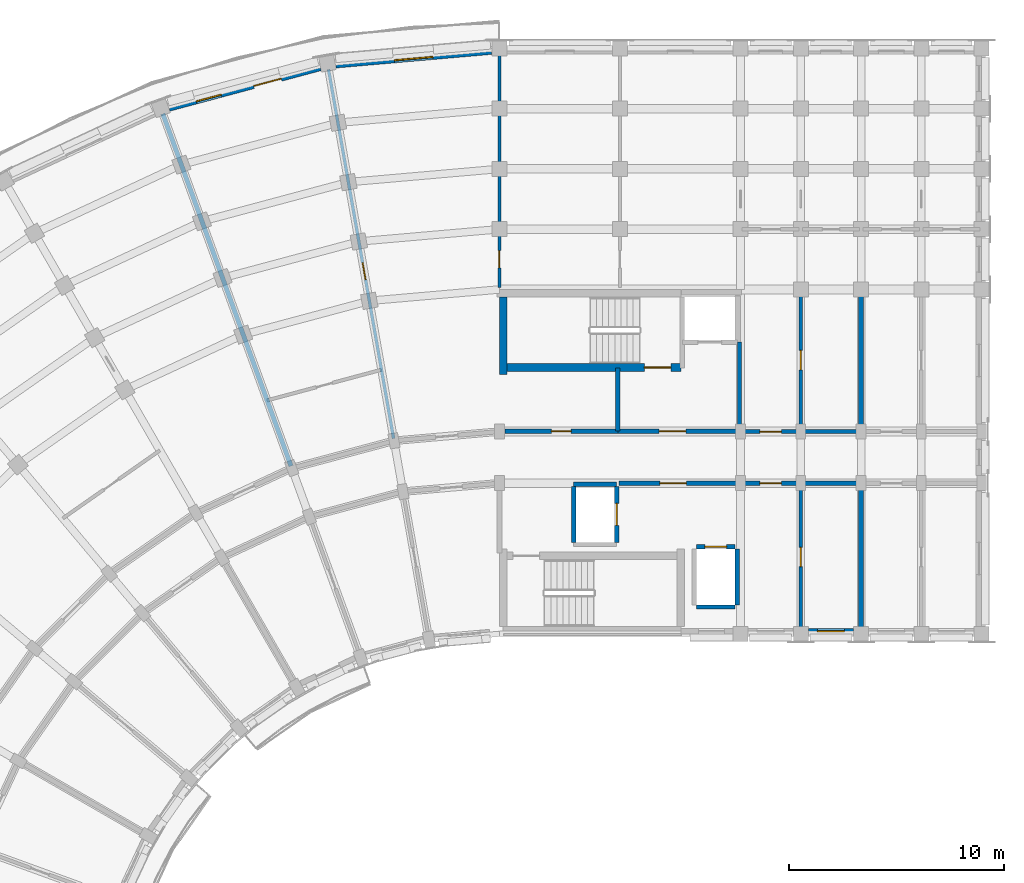
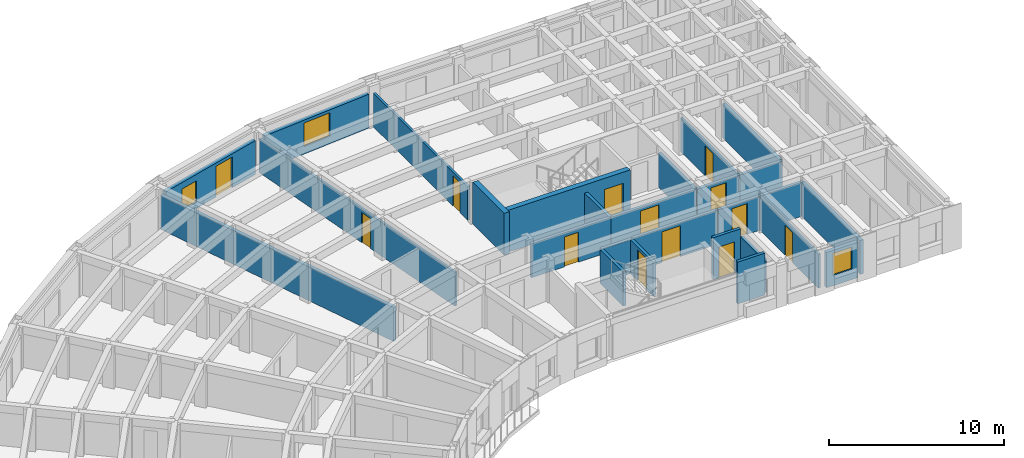
# One storey, part 28 of 57: 27 walls, 13 doors, 3 windows, 16 openings.
"""IFC4 building model written with IfcOpenShell, lengths in metres."""

from ifc_helpers import new_model, si_unit, direction, frame, frame_2d, origin, place, context, subcontext, project, spatial, rectangle, extrude, material, layer, layer_set, type_object, element, fill, save


model = new_model("IFC4")

# Units and contexts
model_context = context("Model", 3, precision=1e-05, world=origin(), true_north=direction((0.0, 1.0)))
body_context = subcontext(model_context, "Body", "Model", "MODEL_VIEW")
ifc_project = project(units=[si_unit("LENGTHUNIT", "METRE"), si_unit("AREAUNIT", "SQUARE_METRE"), si_unit("VOLUMEUNIT", "CUBIC_METRE"), si_unit("PLANEANGLEUNIT", "RADIAN"), si_unit("MASSUNIT", "GRAM", prefix="KILO")], contexts=[model_context])

# Site, building, storey
site_placement = place(None, origin())
site = spatial("IfcSite", under=ifc_project, at=site_placement, CompositionType="ELEMENT")
building_placement = place(site_placement, origin())
building = spatial("IfcBuilding", under=site, at=building_placement, Name="Kiranvali Square Residences", CompositionType="ELEMENT")
storey_placement = place(building_placement, frame((0.0, 0.0, 24.449951171875)))
storey = spatial("IfcBuildingStorey", under=building, at=storey_placement, Name="L07", CompositionType="ELEMENT", Elevation=24.449951171875)

# Wall, opening, door
ifc_material_1 = material(Name="Autoclaved aerated concrete blockwork masonry", Category="masonry")
ifc_layer_1 = layer(ifc_material_1, 0.199951171875)
ifc_layer_set_1 = layer_set([ifc_layer_1], Name="Autoclaved aerated concrete blockwork masonry")
wall_type_1 = type_object("IfcWallType", Name="WL-COR-200", PredefinedType="STANDARD", material=ifc_layer_set_1)
wall_1_placement = place(storey_placement, frame((53.75, 113.60009765625, 0.0), z_axis=(0.0, 0.0, 1.0), x_axis=(1.0, 0.0, 0.0)))
wall_1 = element("IfcWall", 1, at=wall_1_placement, inside=storey, type_object=wall_type_1, Name="L07 architectural wall WL-L07-A-LL-COR", PredefinedType="STANDARD", context=body_context, shape_type="SweptSolid", body=[
    extrude(rectangle(XDim=5.60009765625, YDim=0.199951171875, at=frame_2d((2.800048828125, 0.0))), origin(), (0.0, 0.0, 1.0), 2.3720703125),
])
opening_1_placement = place(wall_1_placement, frame((1.909912109375, 0.0, 0.0)))
opening_1 = element("IfcOpeningElement", 2, at=opening_1_placement, cuts=wall_1, Name="Opening FD-COR-60", PredefinedType="OPENING", context=body_context, shape_type="SweptSolid", body=[
    extrude(rectangle(XDim=1.219970703125, YDim=2.14990234375, at=frame_2d((0.60986328125, 1.074951171875))), frame((0.0, 0.10986328125, 0.0), z_axis=(0.0, -1.0, 0.0), x_axis=(1.0, 0.0, 0.0)), (0.0, 0.0, 1.0), 0.219970703125),
])
ifc_material_2 = material(Name="Fire-rated acoustic hardwood and mineral-core door assembly", Category="wood")
door_type_1 = type_object("IfcDoorType", Name="DR-FD60-1200", OperationType="NOTDEFINED", PredefinedType="DOOR", material=ifc_material_2)
door_1_placement = place(opening_1_placement, origin())
door_1 = element("IfcDoor", 3, at=door_1_placement, inside=storey, type_object=door_type_1, Name="L07 door DR-L07-0459 (DR-FD60-1200)", OperationType="SINGLE_SWING_LEFT", OverallHeight=2.14990234375, OverallWidth=1.219970703125, PredefinedType="DOOR", context=body_context, shape_type="SweptSolid", body=[
    extrude(rectangle(XDim=1.219970703125, YDim=2.14990234375, at=frame_2d((0.60986328125, 1.074951171875))), frame((0.0, 0.02490234375, 0.0), z_axis=(0.0, -1.0, 0.0), x_axis=(1.0, 0.0, 0.0)), (0.0, 0.0, 1.0), 0.050048828125),
])
fill(opening_1, door_1)

wall_2_placement = place(storey_placement, frame((59.39990234375, 113.60009765625, 0.0), z_axis=(0.0, 0.0, 1.0), x_axis=(1.0, 0.0, 0.0)))
wall_2 = element("IfcWall", 4, at=wall_2_placement, inside=storey, type_object=wall_type_1, Name="L07 architectural wall WL-L07-A-A1CI-0", PredefinedType="STANDARD", context=body_context, shape_type="SweptSolid", body=[
    extrude(rectangle(XDim=2.800048828125, YDim=0.199951171875, at=frame_2d((1.39990234375, 0.0))), origin(), (0.0, 0.0, 1.0), 2.3720703125),
])
opening_2_placement = place(wall_2_placement, frame((0.89990234375, 0.0, 0.0)))
opening_2 = element("IfcOpeningElement", 5, at=opening_2_placement, cuts=wall_2, Name="Opening FD-APT-60", PredefinedType="OPENING", context=body_context, shape_type="SweptSolid", body=[
    extrude(rectangle(XDim=1.0, YDim=2.14990234375, at=frame_2d((0.5, 1.074951171875))), frame((0.0, 0.10986328125, 0.0), z_axis=(0.0, -1.0, 0.0), x_axis=(1.0, 0.0, 0.0)), (0.0, 0.0, 1.0), 0.219970703125),
])
door_type_2 = type_object("IfcDoorType", Name="DR-APT-1000", OperationType="NOTDEFINED", PredefinedType="DOOR", material=ifc_material_2)
door_2_placement = place(opening_2_placement, origin())
door_2 = element("IfcDoor", 6, at=door_2_placement, inside=storey, type_object=door_type_2, Name="L07 door DR-L07-0463 (DR-APT-1000)", OperationType="SINGLE_SWING_LEFT", OverallHeight=2.14990234375, OverallWidth=1.0, PredefinedType="DOOR", context=body_context, shape_type="SweptSolid", body=[
    extrude(rectangle(XDim=1.0, YDim=2.14990234375, at=frame_2d((0.5, 1.074951171875))), frame((0.0, 0.02490234375, 0.0), z_axis=(0.0, -1.0, 0.0), x_axis=(1.0, 0.0, 0.0)), (0.0, 0.0, 1.0), 0.050048828125),
])
fill(opening_2, door_2)

wall_3_placement = place(storey_placement, frame((59.39990234375, 116.0, 0.0), z_axis=(0.0, 0.0, 1.0), x_axis=(1.0, 0.0, 0.0)))
wall_3 = element("IfcWall", 7, at=wall_3_placement, inside=storey, type_object=wall_type_1, Name="L07 architectural wall WL-L07-A-A1CO-0", PredefinedType="STANDARD", context=body_context, shape_type="SweptSolid", body=[
    extrude(rectangle(XDim=2.800048828125, YDim=0.199951171875, at=frame_2d((1.39990234375, 0.0))), origin(), (0.0, 0.0, 1.0), 2.3720703125),
])
opening_3_placement = place(wall_3_placement, frame((0.89990234375, 0.0, 0.0)))
opening_3 = element("IfcOpeningElement", 8, at=opening_3_placement, cuts=wall_3, Name="Opening FD-APT-60", PredefinedType="OPENING", context=body_context, shape_type="SweptSolid", body=[
    extrude(rectangle(XDim=1.0, YDim=2.14990234375, at=frame_2d((0.5, 1.074951171875))), frame((0.0, 0.10986328125, 0.0), z_axis=(0.0, -1.0, 0.0), x_axis=(1.0, 0.0, 0.0)), (0.0, 0.0, 1.0), 0.219970703125),
])
door_3_placement = place(opening_3_placement, origin())
door_3 = element("IfcDoor", 9, at=door_3_placement, inside=storey, type_object=door_type_2, Name="L07 door DR-L07-0465 (DR-APT-1000)", OperationType="SINGLE_SWING_LEFT", OverallHeight=2.14990234375, OverallWidth=1.0, PredefinedType="DOOR", context=body_context, shape_type="SweptSolid", body=[
    extrude(rectangle(XDim=1.0, YDim=2.14990234375, at=frame_2d((0.5, 1.074951171875))), frame((0.0, 0.02490234375, 0.0), z_axis=(0.0, -1.0, 0.0), x_axis=(1.0, 0.0, 0.0)), (0.0, 0.0, 1.0), 0.050048828125),
])
fill(opening_3, door_3)

# Walls
for number, where, z_axis, x_axis, name in (
    (10, (62.199951171875, 113.60009765625, 0.0), (0.0, 0.0, 1.0), (1.0, 0.0, 0.0), "L07 architectural wall WL-L07-A-A1CI-1"),
    (11, (62.199951171875, 116.0, 0.0), (0.0, 0.0, 1.0), (1.0, 0.0, 0.0), "L07 architectural wall WL-L07-A-A1CO-1"),
):
    element("IfcWall", number, at=place(storey_placement, frame(where, z_axis=z_axis, x_axis=x_axis)), inside=storey, type_object=wall_type_1, Name=name, PredefinedType="STANDARD", context=body_context, shape_type="SweptSolid", body=[
        extrude(rectangle(XDim=2.800048828125, YDim=0.199951171875, at=frame_2d((1.39990234375, 0.0))), origin(), (0.0, 0.0, 1.0), 2.3720703125),
    ])
ifc_layer_2 = layer(ifc_material_1, 0.219970703125)
ifc_layer_set_2 = layer_set([ifc_layer_2], Name="Autoclaved aerated concrete blockwork masonry")
wall_type_2 = type_object("IfcWallType", Name="WL-DEM-220", PredefinedType="STANDARD", material=ifc_layer_set_2)
wall_4_placement = place(storey_placement, frame((65.0, 106.800048828125, 0.0), z_axis=(0.0, 0.0, 1.0), x_axis=(0.0, 1.0, 0.0)))
element("IfcWall", 12, at=wall_4_placement, inside=storey, type_object=wall_type_2, Name="L07 architectural wall WL-L07-A-A1TI-2", PredefinedType="STANDARD", context=body_context, shape_type="SweptSolid", body=[
    extrude(rectangle(XDim=6.75, YDim=0.219970703125, at=frame_2d((3.375, 0.0))), origin(), (0.0, 0.0, 1.0), 2.3720703125),
])
wall_5_placement = place(storey_placement, frame((65.0, 116.050048828125, 0.0), z_axis=(0.0, 0.0, 1.0), x_axis=(0.0, 1.0, 0.0)))
element("IfcWall", 13, at=wall_5_placement, inside=storey, type_object=wall_type_2, Name="L07 architectural wall WL-L07-A-A1TO1-2", PredefinedType="STANDARD", context=body_context, shape_type="SweptSolid", body=[
    extrude(rectangle(XDim=6.530029296875, YDim=0.219970703125, at=frame_2d((3.26513671875, 0.0))), origin(), (0.0, 0.0, 1.0), 2.3720703125),
])
wall_6_placement = place(storey_placement, frame((38.520751953125, 114.393310546875, 0.0), z_axis=(0.0, 0.0, 1.0), x_axis=(-0.342022120477, 0.939691901159, 0.0)))
element("IfcWall", 14, at=wall_6_placement, inside=storey, type_object=wall_type_2, Name="L07 architectural wall WL-L07-A-RADO-2", PredefinedType="STANDARD", context=body_context, shape_type="SweptSolid", body=[
    extrude(rectangle(XDim=17.419921875, YDim=0.219970703125, at=frame_2d((8.7099609375, 0.0))), origin(), (0.0, 0.0, 1.0), 2.3720703125),
])

# Wall, opening, window
ifc_material_3 = material(Name="Breathable lime-rendered clay brick masonry", Category="masonry")
ifc_layer_3 = layer(ifc_material_3, 0.25)
ifc_layer_set_3 = layer_set([ifc_layer_3], Name="Breathable lime-rendered clay brick masonry")
wall_type_3 = type_object("IfcWallType", Name="WL-EXT-250", PredefinedType="STANDARD", material=ifc_layer_set_3)
wall_7_placement = place(storey_placement, frame((47.83642578125, 133.642822265625, 0.0), z_axis=(0.0, 0.0, 1.0), x_axis=(-0.99619214922, -0.08718487158, 0.0)))
wall_7 = element("IfcWall", 15, at=wall_7_placement, inside=storey, type_object=wall_type_3, Name="L07 exterior wall A-L07-CRV-00", PredefinedType="STANDARD", context=body_context, shape_type="SweptSolid", body=[
    extrude(rectangle(XDim=7.2666015625, YDim=0.25, at=frame_2d((3.63330078125, 0.0))), origin(), (0.0, 0.0, 1.0), 2.3720703125),
])
opening_4_placement = place(wall_7_placement, frame((2.7333984375, 0.0, 0.52197265625)))
opening_4 = element("IfcOpeningElement", 16, at=opening_4_placement, cuts=wall_7, Name="Opening W-04", PredefinedType="OPENING", context=body_context, shape_type="SweptSolid", body=[
    extrude(rectangle(XDim=1.800048828125, YDim=1.64990234375, at=frame_2d((0.89990234375, 0.824951171875))), frame((0.0, 0.135009765625, 0.0), z_axis=(0.0, -1.0, 0.0), x_axis=(1.0, 0.0, 0.0)), (0.0, 0.0, 1.0), 0.27001953125),
])
ifc_material_4 = material(Name="Solar-control low-e double glazing", Category="glass")
window_type_1 = type_object("IfcWindowType", Name="WIN-RES-1800x1650", PartitioningType="DOUBLE_PANEL_VERTICAL", PredefinedType="WINDOW", material=ifc_material_4)
window_1_placement = place(opening_4_placement, origin())
window_1 = element("IfcWindow", 17, at=window_1_placement, inside=storey, type_object=window_type_1, Name="L07 recessed window A-L07-CRV-00", OverallHeight=1.64990234375, OverallWidth=1.800048828125, PartitioningType="DOUBLE_PANEL_VERTICAL", PredefinedType="WINDOW", context=body_context, shape_type="SweptSolid", body=[
    extrude(rectangle(XDim=1.800048828125, YDim=1.64990234375, at=frame_2d((0.89990234375, 0.824951171875))), frame((0.0, 0.030029296875, 0.0), z_axis=(0.0, -1.0, 0.0), x_axis=(1.0, 0.0, 0.0)), (0.0, 0.0, 1.0), 0.06005859375),
])
fill(opening_4, window_1)

# Wall, openings, door, window
wall_8_placement = place(storey_placement, frame((39.881591796875, 132.883056640625, 0.0), z_axis=(0.0, 0.0, 1.0), x_axis=(-0.965930355787, -0.258802140196, 0.0)))
wall_8 = element("IfcWall", 18, at=wall_8_placement, inside=storey, type_object=wall_type_3, Name="L07 exterior wall A-L07-CRV-01", PredefinedType="STANDARD", context=body_context, shape_type="SweptSolid", body=[
    extrude(rectangle(XDim=7.2666015625, YDim=0.25, at=frame_2d((3.63330078125, 0.0))), origin(), (0.0, 0.0, 1.0), 2.3720703125),
])
opening_5_placement = place(wall_8_placement, frame((4.765625, 0.0, 0.422119140625)))
opening_5 = element("IfcOpeningElement", 19, at=opening_5_placement, cuts=wall_8, Name="Opening W-06", PredefinedType="OPENING", context=body_context, shape_type="SweptSolid", body=[
    extrude(rectangle(XDim=1.199951171875, YDim=1.5, at=frame_2d((0.60009765625, 0.75))), frame((0.0, 0.135009765625, 0.0), z_axis=(0.0, -1.0, 0.0), x_axis=(1.0, 0.0, 0.0)), (0.0, 0.0, 1.0), 0.27001953125),
])
opening_6_placement = place(wall_8_placement, frame((1.88330078125, 0.0, 0.0)))
opening_6 = element("IfcOpeningElement", 20, at=opening_6_placement, cuts=wall_8, Name="Opening ED-BAL-3", PredefinedType="OPENING", context=body_context, shape_type="SweptSolid", body=[
    extrude(rectangle(XDim=1.320068359375, YDim=2.14990234375, at=frame_2d((0.66015625, 1.074951171875))), frame((0.0, 0.135009765625, 0.0), z_axis=(0.0, -1.0, 0.0), x_axis=(1.0, 0.0, 0.0)), (0.0, 0.0, 1.0), 0.27001953125),
])
ifc_material_5 = material(Name="Anodised bronze aluminium framing", Category="aluminium")
door_type_3 = type_object("IfcDoorType", Name="DR-BAL-1320", OperationType="NOTDEFINED", PredefinedType="DOOR", material=ifc_material_5)
door_4_placement = place(opening_6_placement, frame((1.320068359375, 0.0, 0.0), z_axis=(0.0, 0.0, 1.0), x_axis=(-1.0, 0.0, 0.0)))
door_4 = element("IfcDoor", 21, at=door_4_placement, inside=storey, type_object=door_type_3, Name="L07 balcony terrace door", OperationType="SINGLE_SWING_RIGHT", OverallHeight=2.14990234375, OverallWidth=1.320068359375, PredefinedType="DOOR", context=body_context, shape_type="SweptSolid", body=[
    extrude(rectangle(XDim=1.320068359375, YDim=2.14990234375, at=frame_2d((0.66015625, 1.074951171875))), frame((0.0, 0.02490234375, 0.0), z_axis=(0.0, -1.0, 0.0), x_axis=(1.0, 0.0, 0.0)), (0.0, 0.0, 1.0), 0.050048828125),
])
fill(opening_6, door_4)
window_type_2 = type_object("IfcWindowType", Name="WIN-RES-1200x1500", PartitioningType="SINGLE_PANEL", PredefinedType="WINDOW", material=ifc_material_4)
window_2_placement = place(opening_5_placement, origin())
window_2 = element("IfcWindow", 22, at=window_2_placement, inside=storey, type_object=window_type_2, Name="L07 recessed window A-L07-CRV-01", OverallHeight=1.5, OverallWidth=1.199951171875, PartitioningType="SINGLE_PANEL", PredefinedType="WINDOW", context=body_context, shape_type="SweptSolid", body=[
    extrude(rectangle(XDim=1.199951171875, YDim=1.5, at=frame_2d((0.60009765625, 0.75))), frame((0.0, 0.030029296875, 0.0), z_axis=(0.0, -1.0, 0.0), x_axis=(1.0, 0.0, 0.0)), (0.0, 0.0, 1.0), 0.06005859375),
])
fill(opening_5, window_2)

# Wall, opening, window
wall_9_placement = place(storey_placement, frame((62.553466796875, 106.72509765625, 0.0), z_axis=(0.0, 0.0, 1.0), x_axis=(1.0, 0.0, 0.0)))
wall_9 = element("IfcWall", 23, at=wall_9_placement, inside=storey, type_object=wall_type_3, Name="L07 exterior wall A-L07-A1I-1", PredefinedType="STANDARD", context=body_context, shape_type="SweptSolid", body=[
    extrude(rectangle(XDim=2.093017578125, YDim=0.25, at=frame_2d((1.04638671875, 0.0))), origin(), (0.0, 0.0, 1.0), 2.47216796875),
])
opening_7_placement = place(wall_9_placement, frame((0.42138671875, 0.0, 0.721923828125)))
opening_7 = element("IfcOpeningElement", 24, at=opening_7_placement, cuts=wall_9, Name="Opening W-19", PredefinedType="OPENING", context=body_context, shape_type="SweptSolid", body=[
    extrude(rectangle(XDim=1.25, YDim=1.550048828125, at=frame_2d((0.625, 0.77490234375))), frame((0.0, 0.135009765625, 0.0), z_axis=(0.0, -1.0, 0.0), x_axis=(1.0, 0.0, 0.0)), (0.0, 0.0, 1.0), 0.27001953125),
])
window_type_3 = type_object("IfcWindowType", Name="WIN-GDN-1250x1550", PartitioningType="SINGLE_PANEL", PredefinedType="WINDOW", material=ifc_material_4)
window_3_placement = place(opening_7_placement, origin())
window_3 = element("IfcWindow", 25, at=window_3_placement, inside=storey, type_object=window_type_3, Name="L07 recessed window A-L07-A1I-1", OverallHeight=1.550048828125, OverallWidth=1.25, PartitioningType="SINGLE_PANEL", PredefinedType="WINDOW", context=body_context, shape_type="SweptSolid", body=[
    extrude(rectangle(XDim=1.25, YDim=1.550048828125, at=frame_2d((0.625, 0.77490234375))), frame((0.0, 0.030029296875, 0.0), z_axis=(0.0, -1.0, 0.0), x_axis=(1.0, 0.0, 0.0)), (0.0, 0.0, 1.0), 0.06005859375),
])
fill(opening_7, window_3)

# Wall, opening, door
ifc_layer_4 = layer(ifc_material_1, 0.199951171875)
ifc_layer_set_4 = layer_set([ifc_layer_4], Name="Autoclaved aerated concrete blockwork masonry")
wall_type_4 = type_object("IfcWallType", Name="WL-FFL-200", PredefinedType="STANDARD", material=ifc_layer_set_4)
wall_10_placement = place(storey_placement, frame((53.699951171875, 116.02001953125, 0.0), z_axis=(0.0, 0.0, 1.0), x_axis=(1.0, 0.0, 0.0)))
wall_10 = element("IfcWall", 26, at=wall_10_placement, inside=storey, type_object=wall_type_4, Name="L07 architectural wall WL-L07-A-FF-COR", PredefinedType="STANDARD", context=body_context, shape_type="SweptSolid", body=[
    extrude(rectangle(XDim=5.650146484375, YDim=0.199951171875, at=frame_2d((2.8251953125, 0.0))), origin(), (0.0, 0.0, 1.0), 2.3720703125),
])
opening_8_placement = place(wall_10_placement, frame((1.922607421875, 0.0, 0.0)))
opening_8 = element("IfcOpeningElement", 27, at=opening_8_placement, cuts=wall_10, Name="Opening FD-ST-120", PredefinedType="OPENING", context=body_context, shape_type="SweptSolid", body=[
    extrude(rectangle(XDim=1.239990234375, YDim=2.14990234375, at=frame_2d((0.6201171875, 1.074951171875))), frame((0.0, 0.10986328125, 0.0), z_axis=(0.0, -1.0, 0.0), x_axis=(1.0, 0.0, 0.0)), (0.0, 0.0, 1.0), 0.219970703125),
])
door_type_4 = type_object("IfcDoorType", Name="DR-FD120-1200", OperationType="NOTDEFINED", PredefinedType="DOOR", material=ifc_material_2)
door_5_placement = place(opening_8_placement, origin())
door_5 = element("IfcDoor", 28, at=door_5_placement, inside=storey, type_object=door_type_4, Name="L07 door DR-L07-0451 (DR-FD120-1200)", OperationType="SINGLE_SWING_LEFT", OverallHeight=2.14990234375, OverallWidth=1.239990234375, PredefinedType="DOOR", context=body_context, shape_type="SweptSolid", body=[
    extrude(rectangle(XDim=1.239990234375, YDim=2.14990234375, at=frame_2d((0.6201171875, 1.074951171875))), frame((0.0, 0.02490234375, 0.0), z_axis=(0.0, -1.0, 0.0), x_axis=(1.0, 0.0, 0.0)), (0.0, 0.0, 1.0), 0.050048828125),
])
fill(opening_8, door_5)

# Walls
wall_11_placement = place(storey_placement, frame((53.699951171875, 116.02001953125, 0.0), z_axis=(0.0, 0.0, 1.0), x_axis=(0.0, 1.0, 0.0)))
element("IfcWall", 29, at=wall_11_placement, inside=storey, type_object=wall_type_4, Name="L07 architectural wall WL-L07-A-FF-DIV", PredefinedType="STANDARD", context=body_context, shape_type="SweptSolid", body=[
    extrude(rectangle(XDim=2.929931640625, YDim=0.199951171875, at=frame_2d((1.46484375, 0.0))), origin(), (0.0, 0.0, 1.0), 2.3720703125),
])
wall_12_placement = place(storey_placement, frame((59.35009765625, 116.02001953125, 0.0), z_axis=(0.0, 0.0, 1.0), x_axis=(0.0, 1.0, 0.0)))
element("IfcWall", 30, at=wall_12_placement, inside=storey, type_object=wall_type_4, Name="L07 architectural wall WL-L07-A-FF-END", PredefinedType="STANDARD", context=body_context, shape_type="SweptSolid", body=[
    extrude(rectangle(XDim=4.1298828125, YDim=0.199951171875, at=frame_2d((2.06494140625, 0.0))), origin(), (0.0, 0.0, 1.0), 2.3720703125),
])

# Wall, opening, door
ifc_material_6 = material(Name="Acoustic gypsum board drylined partition", Category="gypsum")
ifc_layer_5 = layer(ifc_material_6, 0.14990234375)
ifc_layer_set_5 = layer_set([ifc_layer_5], Name="Acoustic gypsum board drylined partition")
wall_type_5 = type_object("IfcWallType", Name="WL-PRT-150", PredefinedType="PARTITIONING", material=ifc_layer_set_5)
wall_13_placement = place(storey_placement, frame((62.199951171875, 106.800048828125, 0.0), z_axis=(0.0, 0.0, 1.0), x_axis=(0.0, 1.0, 0.0)))
wall_13 = element("IfcWall", 31, at=wall_13_placement, inside=storey, type_object=wall_type_5, Name="L07 architectural wall WL-L07-A-A1TI-1", PredefinedType="PARTITIONING", context=body_context, shape_type="SweptSolid", body=[
    extrude(rectangle(XDim=6.75, YDim=0.14990234375, at=frame_2d((3.375, 0.0))), origin(), (0.0, 0.0, 1.0), 2.3720703125),
])
opening_9_placement = place(wall_13_placement, frame((2.925048828125, 0.0, 0.0)))
opening_9 = element("IfcOpeningElement", 32, at=opening_9_placement, cuts=wall_13, Name="Opening ID-1", PredefinedType="OPENING", context=body_context, shape_type="SweptSolid", body=[
    extrude(rectangle(XDim=0.89990234375, YDim=2.10009765625, at=frame_2d((0.449951171875, 1.050048828125))), frame((0.0, 0.0849609375, 0.0), z_axis=(0.0, -1.0, 0.0), x_axis=(1.0, 0.0, 0.0)), (0.0, 0.0, 1.0), 0.169921875),
])
ifc_material_7 = material(Name="Solid seasoned teak hardwood joinery", Category="wood")
door_type_5 = type_object("IfcDoorType", Name="DR-INT-900", OperationType="NOTDEFINED", PredefinedType="DOOR", material=ifc_material_7)
door_6_placement = place(opening_9_placement, frame((0.89990234375, 0.0, 0.0), z_axis=(0.0, 0.0, 1.0), x_axis=(-1.0, 0.0, 0.0)))
door_6 = element("IfcDoor", 33, at=door_6_placement, inside=storey, type_object=door_type_5, Name="L07 door DR-L07-0472 (DR-INT-900)", OperationType="SINGLE_SWING_RIGHT", OverallHeight=2.10009765625, OverallWidth=0.89990234375, PredefinedType="DOOR", context=body_context, shape_type="SweptSolid", body=[
    extrude(rectangle(XDim=0.89990234375, YDim=2.10009765625, at=frame_2d((0.449951171875, 1.050048828125))), frame((0.0, 0.02490234375, 0.0), z_axis=(0.0, -1.0, 0.0), x_axis=(1.0, 0.0, 0.0)), (0.0, 0.0, 1.0), 0.050048828125),
])
fill(opening_9, door_6)

wall_14_placement = place(storey_placement, frame((62.199951171875, 116.050048828125, 0.0), z_axis=(0.0, 0.0, 1.0), x_axis=(0.0, 1.0, 0.0)))
wall_14 = element("IfcWall", 34, at=wall_14_placement, inside=storey, type_object=wall_type_5, Name="L07 architectural wall WL-L07-A-A1TO1-1", PredefinedType="PARTITIONING", context=body_context, shape_type="SweptSolid", body=[
    extrude(rectangle(XDim=6.530029296875, YDim=0.14990234375, at=frame_2d((3.26513671875, 0.0))), origin(), (0.0, 0.0, 1.0), 2.3720703125),
])
opening_10_placement = place(wall_14_placement, frame((2.81494140625, 0.0, 0.0)))
opening_10 = element("IfcOpeningElement", 35, at=opening_10_placement, cuts=wall_14, Name="Opening ID-1", PredefinedType="OPENING", context=body_context, shape_type="SweptSolid", body=[
    extrude(rectangle(XDim=0.89990234375, YDim=2.10009765625, at=frame_2d((0.449951171875, 1.050048828125))), frame((0.0, 0.0849609375, 0.0), z_axis=(0.0, -1.0, 0.0), x_axis=(1.0, 0.0, 0.0)), (0.0, 0.0, 1.0), 0.169921875),
])
door_7_placement = place(opening_10_placement, origin())
door_7 = element("IfcDoor", 36, at=door_7_placement, inside=storey, type_object=door_type_5, Name="L07 door DR-L07-0473 (DR-INT-900)", OperationType="SINGLE_SWING_LEFT", OverallHeight=2.10009765625, OverallWidth=0.89990234375, PredefinedType="DOOR", context=body_context, shape_type="SweptSolid", body=[
    extrude(rectangle(XDim=0.89990234375, YDim=2.10009765625, at=frame_2d((0.449951171875, 1.050048828125))), frame((0.0, 0.02490234375, 0.0), z_axis=(0.0, -1.0, 0.0), x_axis=(1.0, 0.0, 0.0)), (0.0, 0.0, 1.0), 0.050048828125),
])
fill(opening_10, door_7)

wall_15_placement = place(storey_placement, frame((48.199951171875, 122.699951171875, 0.0), z_axis=(0.0, 0.0, 1.0), x_axis=(0.0, 1.0, 0.0)))
wall_15 = element("IfcWall", 37, at=wall_15_placement, inside=storey, type_object=wall_type_5, Name="L07 architectural wall WL-L07-A-RADO-0", PredefinedType="PARTITIONING", context=body_context, shape_type="SweptSolid", body=[
    extrude(rectangle(XDim=10.820068359375, YDim=0.14990234375, at=frame_2d((5.41015625, 0.0))), origin(), (0.0, 0.0, 1.0), 2.3720703125),
])
opening_11_placement = place(wall_15_placement, frame((0.8994140625, 0.0, 0.0)))
opening_11 = element("IfcOpeningElement", 38, at=opening_11_placement, cuts=wall_15, Name="Opening ID-WET", PredefinedType="OPENING", context=body_context, shape_type="SweptSolid", body=[
    extrude(rectangle(XDim=0.800048828125, YDim=2.10009765625, at=frame_2d((0.39990234375, 1.050048828125))), frame((0.0, 0.0849609375, 0.0), z_axis=(0.0, -1.0, 0.0), x_axis=(1.0, 0.0, 0.0)), (0.0, 0.0, 1.0), 0.169921875),
])
door_type_6 = type_object("IfcDoorType", Name="DR-WET-800", OperationType="NOTDEFINED", PredefinedType="DOOR", material=ifc_material_7)
door_8_placement = place(opening_11_placement, frame((0.800048828125, 0.0, 0.0), z_axis=(0.0, 0.0, 1.0), x_axis=(-1.0, 0.0, 0.0)))
door_8 = element("IfcDoor", 39, at=door_8_placement, inside=storey, type_object=door_type_6, Name="L07 door DR-L07-0478 (DR-WET-800)", OperationType="SINGLE_SWING_RIGHT", OverallHeight=2.10009765625, OverallWidth=0.800048828125, PredefinedType="DOOR", context=body_context, shape_type="SweptSolid", body=[
    extrude(rectangle(XDim=0.800048828125, YDim=2.10009765625, at=frame_2d((0.39990234375, 1.050048828125))), frame((0.0, 0.02490234375, 0.0), z_axis=(0.0, -1.0, 0.0), x_axis=(1.0, 0.0, 0.0)), (0.0, 0.0, 1.0), 0.050048828125),
])
fill(opening_11, door_8)

wall_16_placement = place(storey_placement, frame((43.28564453125, 115.670166015625, 0.0), z_axis=(0.0, 0.0, 1.0), x_axis=(-0.173646216546, 0.984808098809, 0.0)))
wall_16 = element("IfcWall", 40, at=wall_16_placement, inside=storey, type_object=wall_type_5, Name="L07 architectural wall WL-L07-A-RADO-1", PredefinedType="PARTITIONING", context=body_context, shape_type="SweptSolid", body=[
    extrude(rectangle(XDim=17.419921875, YDim=0.14990234375, at=frame_2d((8.7099609375, 0.0))), origin(), (0.0, 0.0, 1.0), 2.3720703125),
])
opening_12_placement = place(wall_16_placement, frame((7.5, 0.0, 0.0)))
opening_12 = element("IfcOpeningElement", 41, at=opening_12_placement, cuts=wall_16, Name="Opening ID-WET", PredefinedType="OPENING", context=body_context, shape_type="SweptSolid", body=[
    extrude(rectangle(XDim=0.800048828125, YDim=2.10009765625, at=frame_2d((0.39990234375, 1.050048828125))), frame((0.0, 0.0849609375, 0.0), z_axis=(0.0, -1.0, 0.0), x_axis=(1.0, 0.0, 0.0)), (0.0, 0.0, 1.0), 0.169921875),
])
door_9_placement = place(opening_12_placement, frame((0.800048828125, 0.0, 0.0), z_axis=(0.0, 0.0, 1.0), x_axis=(-1.0, 0.0, 0.0)))
door_9 = element("IfcDoor", 42, at=door_9_placement, inside=storey, type_object=door_type_6, Name="L07 door DR-L07-0480 (DR-WET-800)", OperationType="SINGLE_SWING_RIGHT", OverallHeight=2.10009765625, OverallWidth=0.800048828125, PredefinedType="DOOR", context=body_context, shape_type="SweptSolid", body=[
    extrude(rectangle(XDim=0.800048828125, YDim=2.10009765625, at=frame_2d((0.39990234375, 1.050048828125))), frame((0.0, 0.02490234375, 0.0), z_axis=(0.0, -1.0, 0.0), x_axis=(1.0, 0.0, 0.0)), (0.0, 0.0, 1.0), 0.050048828125),
])
fill(opening_12, door_9)

ifc_layer_6 = layer(ifc_material_1, 0.199951171875)
ifc_layer_set_6 = layer_set([ifc_layer_6], Name="Autoclaved aerated concrete blockwork masonry")
wall_type_6 = type_object("IfcWallType", Name="WL-SHF-200", PredefinedType="STANDARD", material=ifc_layer_set_6)
wall_17_placement = place(storey_placement, frame((48.449951171875, 116.02001953125, 0.0), z_axis=(0.0, 0.0, 1.0), x_axis=(1.0, 0.0, 0.0)))
wall_17 = element("IfcWall", 43, at=wall_17_placement, inside=storey, type_object=wall_type_6, Name="L07 architectural wall WL-L07-A-RSR-COR", PredefinedType="STANDARD", context=body_context, shape_type="SweptSolid", body=[
    extrude(rectangle(XDim=5.25, YDim=0.199951171875, at=frame_2d((2.625, 0.0))), origin(), (0.0, 0.0, 1.0), 2.3720703125),
])
opening_13_placement = place(wall_17_placement, frame((2.1650390625, 0.0, 0.0)))
opening_13 = element("IfcOpeningElement", 44, at=opening_13_placement, cuts=wall_17, Name="Opening FD-SVC-120", PredefinedType="OPENING", context=body_context, shape_type="SweptSolid", body=[
    extrude(rectangle(XDim=0.919921875, YDim=2.10009765625, at=frame_2d((0.4599609375, 1.050048828125))), frame((0.0, 0.10986328125, 0.0), z_axis=(0.0, -1.0, 0.0), x_axis=(1.0, 0.0, 0.0)), (0.0, 0.0, 1.0), 0.219970703125),
])
door_type_7 = type_object("IfcDoorType", Name="DR-SVC-900", OperationType="NOTDEFINED", PredefinedType="DOOR", material=ifc_material_2)
door_10_placement = place(opening_13_placement, frame((0.919921875, 0.0, 0.0), z_axis=(0.0, 0.0, 1.0), x_axis=(-1.0, 0.0, 0.0)))
door_10 = element("IfcDoor", 45, at=door_10_placement, inside=storey, type_object=door_type_7, Name="L07 door DR-L07-0452 (DR-SVC-900)", OperationType="SINGLE_SWING_RIGHT", OverallHeight=2.10009765625, OverallWidth=0.919921875, PredefinedType="DOOR", context=body_context, shape_type="SweptSolid", body=[
    extrude(rectangle(XDim=0.919921875, YDim=2.10009765625, at=frame_2d((0.4599609375, 1.050048828125))), frame((0.0, 0.02490234375, 0.0), z_axis=(0.0, -1.0, 0.0), x_axis=(1.0, 0.0, 0.0)), (0.0, 0.0, 1.0), 0.050048828125),
])
fill(opening_13, door_10)

# Walls
wall_18_placement = place(storey_placement, frame((59.25, 107.949951171875, 0.0), z_axis=(0.0, 0.0, 1.0), x_axis=(0.0, 1.0, 0.0)))
element("IfcWall", 46, at=wall_18_placement, inside=storey, type_object=wall_type_6, Name="L07 architectural wall WL-L07-A-LP1-B", PredefinedType="STANDARD", context=body_context, shape_type="SweptSolid", body=[
    extrude(rectangle(XDim=2.60009765625, YDim=0.199951171875, at=frame_2d((1.300048828125, 0.0))), origin(), (0.0, 0.0, 1.0), 2.3720703125),
])
wall_19_placement = place(storey_placement, frame((57.35009765625, 107.85009765625, 0.0), z_axis=(0.0, 0.0, 1.0), x_axis=(1.0, 0.0, 0.0)))
element("IfcWall", 47, at=wall_19_placement, inside=storey, type_object=wall_type_6, Name="L07 architectural wall WL-L07-A-LP1-S2", PredefinedType="STANDARD", context=body_context, shape_type="SweptSolid", body=[
    extrude(rectangle(XDim=1.7998046875, YDim=0.199951171875, at=frame_2d((0.89990234375, 0.0))), origin(), (0.0, 0.0, 1.0), 2.929931640625),
])

# Wall, opening, door
wall_20_placement = place(storey_placement, frame((57.35009765625, 110.64990234375, 0.0), z_axis=(0.0, 0.0, 1.0), x_axis=(1.0, 0.0, 0.0)))
wall_20 = element("IfcWall", 48, at=wall_20_placement, inside=storey, type_object=wall_type_6, Name="L07 architectural wall WL-L07-A-LP1-F", PredefinedType="STANDARD", context=body_context, shape_type="SweptSolid", body=[
    extrude(rectangle(XDim=1.7998046875, YDim=0.199951171875, at=frame_2d((0.89990234375, 0.0))), origin(), (0.0, 0.0, 1.0), 2.929931640625),
])
opening_14_placement = place(wall_20_placement, frame((0.389892578125, 0.0, 0.0)))
opening_14 = element("IfcOpeningElement", 49, at=opening_14_placement, cuts=wall_20, Name="Opening LD-PAX-100", PredefinedType="OPENING", context=body_context, shape_type="SweptSolid", body=[
    extrude(rectangle(XDim=1.02001953125, YDim=2.14990234375, at=frame_2d((0.510009765625, 1.074951171875))), frame((0.0, 0.10986328125, 0.0), z_axis=(0.0, -1.0, 0.0), x_axis=(1.0, 0.0, 0.0)), (0.0, 0.0, 1.0), 0.219970703125),
])
door_type_8 = type_object("IfcDoorType", Name="DR-LIFT-1000", OperationType="SLIDING_TO_RIGHT", PredefinedType="DOOR", material=ifc_material_2)
door_11_placement = place(opening_14_placement, origin())
door_11 = element("IfcDoor", 50, at=door_11_placement, inside=storey, type_object=door_type_8, Name="L07 door DR-L07-0457 (DR-LIFT-1000)", OperationType="SLIDING_TO_RIGHT", OverallHeight=2.14990234375, OverallWidth=1.02001953125, PredefinedType="DOOR", context=body_context, shape_type="SweptSolid", body=[
    extrude(rectangle(XDim=1.02001953125, YDim=2.14990234375, at=frame_2d((0.510009765625, 1.074951171875))), frame((0.0, 0.02490234375, 0.0), z_axis=(0.0, -1.0, 0.0), x_axis=(1.0, 0.0, 0.0)), (0.0, 0.0, 1.0), 0.050048828125),
])
fill(opening_14, door_11)

# Walls
wall_21_placement = place(storey_placement, frame((51.64990234375, 113.550048828125, 0.0), z_axis=(0.0, 0.0, 1.0), x_axis=(1.0, 0.0, 0.0)))
element("IfcWall", 51, at=wall_21_placement, inside=storey, type_object=wall_type_6, Name="L07 architectural wall WL-L07-A-LP2-B", PredefinedType="STANDARD", context=body_context, shape_type="SweptSolid", body=[
    extrude(rectangle(XDim=2.0, YDim=0.199951171875, at=frame_2d((1.0, 0.0))), origin(), (0.0, 0.0, 1.0), 2.3720703125),
])
wall_22_placement = place(storey_placement, frame((51.64990234375, 110.85009765625, 0.0), z_axis=(0.0, 0.0, 1.0), x_axis=(0.0, 1.0, 0.0)))
element("IfcWall", 52, at=wall_22_placement, inside=storey, type_object=wall_type_6, Name="L07 architectural wall WL-L07-A-LP2-S1", PredefinedType="STANDARD", context=body_context, shape_type="SweptSolid", body=[
    extrude(rectangle(XDim=2.599853515625, YDim=0.199951171875, at=frame_2d((1.2998046875, 0.0))), origin(), (0.0, 0.0, 1.0), 2.3720703125),
])

# Wall, opening, door
wall_23_placement = place(storey_placement, frame((53.64990234375, 110.85009765625, 0.0), z_axis=(0.0, 0.0, 1.0), x_axis=(0.0, 1.0, 0.0)))
wall_23 = element("IfcWall", 53, at=wall_23_placement, inside=storey, type_object=wall_type_6, Name="L07 architectural wall WL-L07-A-LP2-F", PredefinedType="STANDARD", context=body_context, shape_type="SweptSolid", body=[
    extrude(rectangle(XDim=2.599853515625, YDim=0.199951171875, at=frame_2d((1.2998046875, 0.0))), origin(), (0.0, 0.0, 1.0), 2.3720703125),
])
opening_15_placement = place(wall_23_placement, frame((0.7900390625, 0.0, 0.0)))
opening_15 = element("IfcOpeningElement", 54, at=opening_15_placement, cuts=wall_23, Name="Opening LD-PAX-100", PredefinedType="OPENING", context=body_context, shape_type="SweptSolid", body=[
    extrude(rectangle(XDim=1.02001953125, YDim=2.14990234375, at=frame_2d((0.510009765625, 1.074951171875))), frame((0.0, 0.10986328125, 0.0), z_axis=(0.0, -1.0, 0.0), x_axis=(1.0, 0.0, 0.0)), (0.0, 0.0, 1.0), 0.219970703125),
])
door_12_placement = place(opening_15_placement, origin())
door_12 = element("IfcDoor", 55, at=door_12_placement, inside=storey, type_object=door_type_8, Name="L07 door DR-L07-0458 (DR-LIFT-1000)", OperationType="SLIDING_TO_RIGHT", OverallHeight=2.14990234375, OverallWidth=1.02001953125, PredefinedType="DOOR", context=body_context, shape_type="SweptSolid", body=[
    extrude(rectangle(XDim=1.02001953125, YDim=2.14990234375, at=frame_2d((0.510009765625, 1.074951171875))), frame((0.0, 0.02490234375, 0.0), z_axis=(0.0, -1.0, 0.0), x_axis=(1.0, 0.0, 0.0)), (0.0, 0.0, 1.0), 0.050048828125),
])
fill(opening_15, door_12)

ifc_material_8 = material(Name="Concrete M45 (45 MPa)", Category="concrete")
ifc_layer_7 = layer(ifc_material_8, 0.320068359375)
ifc_layer_set_7 = layer_set([ifc_layer_7], Name="Concrete M45 (45 MPa)")
wall_type_7 = type_object("IfcWallType", Name="WL-SHR-320", PredefinedType="SHEAR", material=ifc_layer_set_7)
wall_24_placement = place(storey_placement, frame((48.550048828125, 118.97509765625, 0.0), z_axis=(0.0, 0.0, 1.0), x_axis=(1.0, 0.0, 0.0)))
wall_24 = element("IfcWall", 56, at=wall_24_placement, inside=storey, type_object=wall_type_7, Name="Block A core shear wall SW-A1-IN-L07", PredefinedType="SHEAR", context=body_context, shape_type="SweptSolid", body=[
    extrude(rectangle(XDim=8.074951171875, YDim=0.35009765625, at=frame_2d((4.03759765625, 0.0))), origin(), (0.0, 0.0, 1.0), 2.929931640625),
])
opening_16_placement = place(wall_24_placement, frame((6.3798828125, 0.0, 0.0)))
opening_16 = element("IfcOpeningElement", 57, at=opening_16_placement, cuts=wall_24, Name="Opening FD-ST-120", PredefinedType="OPENING", context=body_context, shape_type="SweptSolid", body=[
    extrude(rectangle(XDim=1.239990234375, YDim=2.14990234375, at=frame_2d((0.6201171875, 1.074951171875))), frame((0.0, 0.18505859375, 0.0), z_axis=(0.0, -1.0, 0.0), x_axis=(1.0, 0.0, 0.0)), (0.0, 0.0, 1.0), 0.3701171875),
])
door_13_placement = place(opening_16_placement, origin())
door_13 = element("IfcDoor", 58, at=door_13_placement, inside=storey, type_object=door_type_4, Name="L07 door DR-L07-0454 (DR-FD120-1200)", OperationType="SINGLE_SWING_RIGHT", OverallHeight=2.14990234375, OverallWidth=1.239990234375, PredefinedType="DOOR", context=body_context, shape_type="SweptSolid", body=[
    extrude(rectangle(XDim=1.239990234375, YDim=2.14990234375, at=frame_2d((0.6201171875, 1.074951171875))), frame((0.0, 0.02490234375, 0.0), z_axis=(0.0, -1.0, 0.0), x_axis=(1.0, 0.0, 0.0)), (0.0, 0.0, 1.0), 0.050048828125),
])
fill(opening_16, door_13)

# Wall
wall_25_placement = place(storey_placement, frame((48.375, 118.64990234375, 0.0), z_axis=(0.0, 0.0, 1.0), x_axis=(0.0, 1.0, 0.0)))
element("IfcWall", 59, at=wall_25_placement, inside=storey, type_object=wall_type_7, Name="Block A core shear wall SW-A1-FAR-L07", PredefinedType="SHEAR", context=body_context, shape_type="SweptSolid", body=[
    extrude(rectangle(XDim=3.60009765625, YDim=0.35009765625, at=frame_2d((1.800048828125, 0.0))), origin(), (0.0, 0.0, 1.0), 2.929931640625),
])

save(model, "model.ifc")
